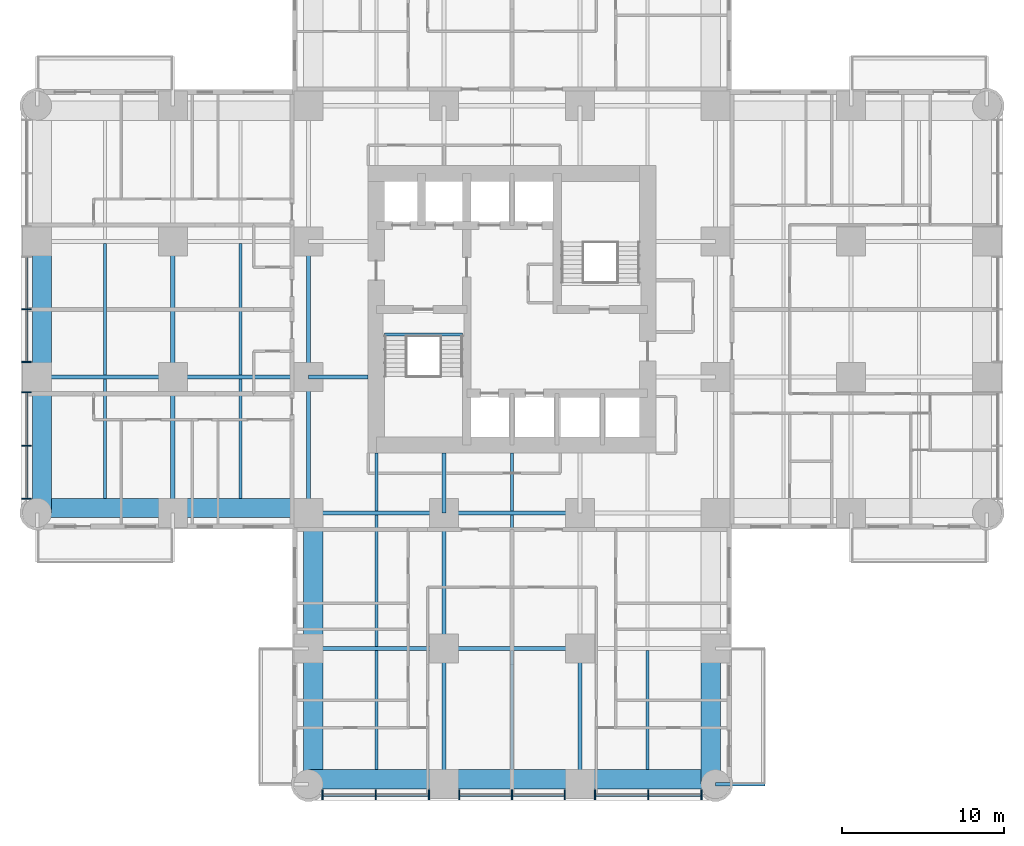
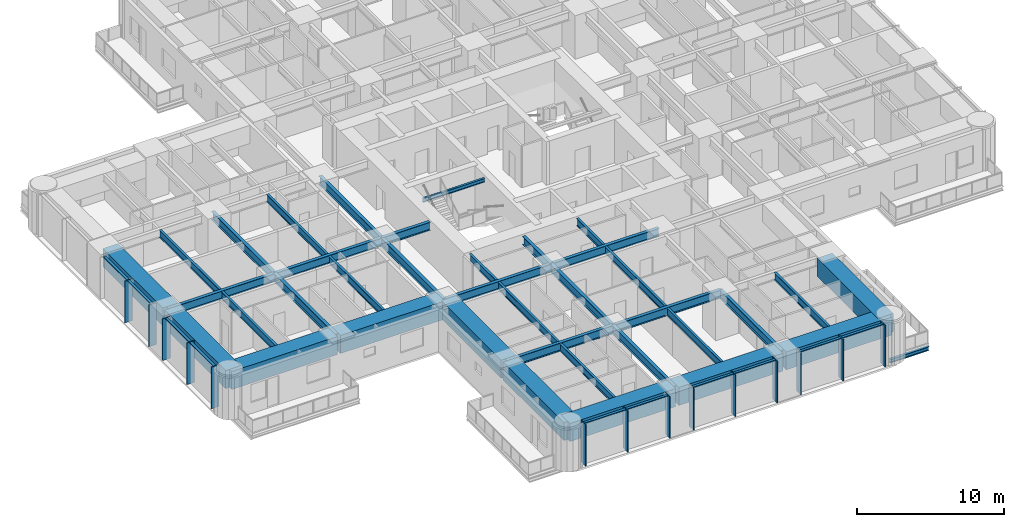
# One storey, part 2 of 17: 38 beams, 24 members, 2 elements without a shape of their own.
"""IFC4 building model written with IfcOpenShell, lengths in metres."""

from ifc_helpers import new_model, si_unit, direction, frame, origin, origin_2d, place, context, subcontext, project, spatial, rectangle, i_section, extrude, material, material_profile, profile_set, type_object, element, aggregate, save


model = new_model("IFC4")

# Units and contexts
model_context = context("Model", 3, precision=1e-05, world=origin(), true_north=direction((0.0, 1.0)))
body_context = subcontext(model_context, "Body", "Model", "MODEL_VIEW")
ifc_project = project(units=[si_unit("LENGTHUNIT", "METRE"), si_unit("AREAUNIT", "SQUARE_METRE"), si_unit("VOLUMEUNIT", "CUBIC_METRE"), si_unit("PLANEANGLEUNIT", "RADIAN"), si_unit("MASSUNIT", "GRAM", prefix="KILO")], contexts=[model_context])

# Site, building, storey
site_placement = place(None, origin())
site = spatial("IfcSite", under=ifc_project, at=site_placement, CompositionType="ELEMENT")
building_placement = place(site_placement, origin())
building = spatial("IfcBuilding", under=site, at=building_placement, Name="Torre Alcanfor", CompositionType="ELEMENT")
storey_placement = place(building_placement, frame((0.0, 0.0, 81.300048828125)))
storey = spatial("IfcBuildingStorey", under=building, at=storey_placement, Name="L20", CompositionType="ELEMENT", Elevation=81.300048828125)

# Beam
ifc_material_1 = material(Name="Steel ASTM A992 Grade 50", Category="steel")
ifc_material_profile_1 = material_profile(ifc_material_1, i_section(OverallWidth=0.205322265625, OverallDepth=0.309814453125, WebThickness=0.00927734375, FlangeThickness=0.016357421875, at=origin_2d()), Name="W12x50")
ifc_profile_set_1 = profile_set([ifc_material_profile_1], Name="Steel ASTM A992 Grade 50")
beam_type_1 = type_object("IfcBeamType", Name="Balcony cantilever beam W12x50", PredefinedType="BEAM", material=ifc_profile_set_1)
beam_1_placement = place(storey_placement, frame((42.0, 0.0, -0.35498046875), z_axis=(1.0, 0.0, 0.0), x_axis=(0.0, 1.0, 0.0)))
element("IfcBeam", 1, at=beam_1_placement, inside=storey, type_object=beam_type_1, Name="Balcony cantilever beam L20-S1 2", PredefinedType="BEAM", context=body_context, shape_type="SweptSolid", body=[
    extrude(i_section(OverallWidth=0.205322265625, OverallDepth=0.309814453125, WebThickness=0.00927734375, FlangeThickness=0.016357421875, at=origin_2d()), origin(), (0.0, 0.0, 1.0), 3.050048828125),
])

# Curtain wall, members
ifc_material_2 = material(Name="Aluminium and glass", Category="aluminium")
curtain_wall_type = type_object("IfcCurtainWallType", Name="CW-A unitised apartment glazing with vertical FIN", PredefinedType="NOTDEFINED", material=ifc_material_2)
curtain_wall_1_placement = place(storey_placement, origin())
curtain_wall_1 = element("IfcCurtainWall", 2, at=curtain_wall_1_placement, inside=storey, type_object=curtain_wall_type, Name="Curtain wall CW-A L20 2", PredefinedType="NOTDEFINED")
ifc_material_3 = material(Name="Bronze anodised aluminium", Category="aluminium")
ifc_material_profile_2 = material_profile(ifc_material_3, rectangle(XDim=0.60009765625, YDim=0.06494140625, at=origin_2d()), Name="CW-A mullion 65x600")
ifc_profile_set_2 = profile_set([ifc_material_profile_2], Name="Bronze anodised aluminium")
member_type_1 = type_object("IfcMemberType", Name="CW-A mullion with vertical FIN 65x600", PredefinedType="MULLION", material=ifc_profile_set_2)
member_1_placement = place(storey_placement, frame((-0.64990234375, 29.39990234375, 0.0), z_axis=(0.0, 0.0, 1.0), x_axis=(1.0, 0.0, 0.0)))
member_1 = element("IfcMember", 3, at=member_1_placement, type_object=member_type_1, Name="CW-A mullion 2.2", PredefinedType="MULLION", context=body_context, shape_type="SweptSolid", body=[
    extrude(rectangle(XDim=0.60009765625, YDim=0.06494140625, at=origin_2d()), origin(), (0.0, 0.0, 1.0), 3.449951171875),
])
member_2_placement = place(storey_placement, frame((-0.64990234375, 26.137451171875, 0.0), z_axis=(0.0, 0.0, 1.0), x_axis=(1.0, 0.0, 0.0)))
member_2 = element("IfcMember", 4, at=member_2_placement, type_object=member_type_1, Name="CW-A mullion 2.3", PredefinedType="MULLION", context=body_context, shape_type="SweptSolid", body=[
    extrude(rectangle(XDim=0.60009765625, YDim=0.06494140625, at=origin_2d()), origin(), (0.0, 0.0, 1.0), 3.449951171875),
])
member_3_placement = place(storey_placement, frame((-0.64990234375, 24.262451171875, 0.0), z_axis=(0.0, 0.0, 1.0), x_axis=(1.0, 0.0, 0.0)))
member_3 = element("IfcMember", 5, at=member_3_placement, type_object=member_type_1, Name="CW-A mullion 3.1", PredefinedType="MULLION", context=body_context, shape_type="SweptSolid", body=[
    extrude(rectangle(XDim=0.60009765625, YDim=0.06494140625, at=origin_2d()), origin(), (0.0, 0.0, 1.0), 3.449951171875),
])
member_4_placement = place(storey_placement, frame((-0.64990234375, 20.96484375, 0.0), z_axis=(0.0, 0.0, 1.0), x_axis=(1.0, 0.0, 0.0)))
member_4 = element("IfcMember", 6, at=member_4_placement, type_object=member_type_1, Name="CW-A mullion 3.2", PredefinedType="MULLION", context=body_context, shape_type="SweptSolid", body=[
    extrude(rectangle(XDim=0.60009765625, YDim=0.06494140625, at=origin_2d()), origin(), (0.0, 0.0, 1.0), 3.449951171875),
])
member_5_placement = place(storey_placement, frame((-0.64990234375, 17.6669921875, 0.0), z_axis=(0.0, 0.0, 1.0), x_axis=(1.0, 0.0, 0.0)))
member_5 = element("IfcMember", 7, at=member_5_placement, type_object=member_type_1, Name="CW-A mullion 3.3", PredefinedType="MULLION", context=body_context, shape_type="SweptSolid", body=[
    extrude(rectangle(XDim=0.60009765625, YDim=0.06494140625, at=origin_2d()), origin(), (0.0, 0.0, 1.0), 3.449951171875),
])

curtain_wall_2_placement = place(storey_placement, origin())
curtain_wall_2 = element("IfcCurtainWall", 8, at=curtain_wall_2_placement, inside=storey, type_object=curtain_wall_type, Name="Curtain wall CW-A L20 5", PredefinedType="NOTDEFINED")
member_6_placement = place(storey_placement, frame((17.6669921875, -0.64990234375, 0.0), z_axis=(0.0, 0.0, 1.0), x_axis=(0.0, 1.0, 0.0)))
member_6 = element("IfcMember", 9, at=member_6_placement, type_object=member_type_1, Name="CW-A mullion 1.1", PredefinedType="MULLION", context=body_context, shape_type="SweptSolid", body=[
    extrude(rectangle(XDim=0.60009765625, YDim=0.06494140625, at=origin_2d()), origin(), (0.0, 0.0, 1.0), 3.449951171875),
])
member_7_placement = place(storey_placement, frame((20.96484375, -0.64990234375, 0.0), z_axis=(0.0, 0.0, 1.0), x_axis=(0.0, 1.0, 0.0)))
member_7 = element("IfcMember", 10, at=member_7_placement, type_object=member_type_1, Name="CW-A mullion 1.2", PredefinedType="MULLION", context=body_context, shape_type="SweptSolid", body=[
    extrude(rectangle(XDim=0.60009765625, YDim=0.06494140625, at=origin_2d()), origin(), (0.0, 0.0, 1.0), 3.449951171875),
])
member_8_placement = place(storey_placement, frame((24.262451171875, -0.64990234375, 0.0), z_axis=(0.0, 0.0, 1.0), x_axis=(0.0, 1.0, 0.0)))
member_8 = element("IfcMember", 11, at=member_8_placement, type_object=member_type_1, Name="CW-A mullion 1.3", PredefinedType="MULLION", context=body_context, shape_type="SweptSolid", body=[
    extrude(rectangle(XDim=0.60009765625, YDim=0.06494140625, at=origin_2d()), origin(), (0.0, 0.0, 1.0), 3.449951171875),
])
member_9_placement = place(storey_placement, frame((26.137451171875, -0.64990234375, 0.0), z_axis=(0.0, 0.0, 1.0), x_axis=(0.0, 1.0, 0.0)))
member_9 = element("IfcMember", 12, at=member_9_placement, type_object=member_type_1, Name="CW-A mullion 2.1", PredefinedType="MULLION", context=body_context, shape_type="SweptSolid", body=[
    extrude(rectangle(XDim=0.60009765625, YDim=0.06494140625, at=origin_2d()), origin(), (0.0, 0.0, 1.0), 3.449951171875),
])
member_10_placement = place(storey_placement, frame((29.39990234375, -0.64990234375, 0.0), z_axis=(0.0, 0.0, 1.0), x_axis=(0.0, 1.0, 0.0)))
member_10 = element("IfcMember", 13, at=member_10_placement, type_object=member_type_1, Name="CW-A mullion 2.2", PredefinedType="MULLION", context=body_context, shape_type="SweptSolid", body=[
    extrude(rectangle(XDim=0.60009765625, YDim=0.06494140625, at=origin_2d()), origin(), (0.0, 0.0, 1.0), 3.449951171875),
])
member_11_placement = place(storey_placement, frame((32.66259765625, -0.64990234375, 0.0), z_axis=(0.0, 0.0, 1.0), x_axis=(0.0, 1.0, 0.0)))
member_11 = element("IfcMember", 14, at=member_11_placement, type_object=member_type_1, Name="CW-A mullion 2.3", PredefinedType="MULLION", context=body_context, shape_type="SweptSolid", body=[
    extrude(rectangle(XDim=0.60009765625, YDim=0.06494140625, at=origin_2d()), origin(), (0.0, 0.0, 1.0), 3.449951171875),
])
member_12_placement = place(storey_placement, frame((34.53759765625, -0.64990234375, 0.0), z_axis=(0.0, 0.0, 1.0), x_axis=(0.0, 1.0, 0.0)))
member_12 = element("IfcMember", 15, at=member_12_placement, type_object=member_type_1, Name="CW-A mullion 3.1", PredefinedType="MULLION", context=body_context, shape_type="SweptSolid", body=[
    extrude(rectangle(XDim=0.60009765625, YDim=0.06494140625, at=origin_2d()), origin(), (0.0, 0.0, 1.0), 3.449951171875),
])
member_13_placement = place(storey_placement, frame((37.835205078125, -0.64990234375, 0.0), z_axis=(0.0, 0.0, 1.0), x_axis=(0.0, 1.0, 0.0)))
member_13 = element("IfcMember", 16, at=member_13_placement, type_object=member_type_1, Name="CW-A mullion 3.2", PredefinedType="MULLION", context=body_context, shape_type="SweptSolid", body=[
    extrude(rectangle(XDim=0.60009765625, YDim=0.06494140625, at=origin_2d()), origin(), (0.0, 0.0, 1.0), 3.449951171875),
])
member_14_placement = place(storey_placement, frame((41.133056640625, -0.64990234375, 0.0), z_axis=(0.0, 0.0, 1.0), x_axis=(0.0, 1.0, 0.0)))
member_14 = element("IfcMember", 17, at=member_14_placement, type_object=member_type_1, Name="CW-A mullion 3.3", PredefinedType="MULLION", context=body_context, shape_type="SweptSolid", body=[
    extrude(rectangle(XDim=0.60009765625, YDim=0.06494140625, at=origin_2d()), origin(), (0.0, 0.0, 1.0), 3.449951171875),
])

# Member
ifc_material_4 = material(Name="Extruded aluminium", Category="aluminium")
ifc_material_profile_3 = material_profile(ifc_material_4, rectangle(XDim=0.199951171875, YDim=0.06494140625, at=origin_2d()), Name="CW-A transom 200x65")
ifc_profile_set_3 = profile_set([ifc_material_profile_3], Name="Extruded aluminium")
member_type_2 = type_object("IfcMemberType", Name="CW-A transom 65x200", PredefinedType="USERDEFINED", material=ifc_profile_set_3)
member_15_placement = place(storey_placement, frame((-0.64990234375, 32.6298828125, 3.41748046875), z_axis=(0.0, -1.0, 0.0), x_axis=(1.0, 0.0, 0.0)))
member_15 = element("IfcMember", 18, at=member_15_placement, type_object=member_type_2, Name="CW-A transom 2.1.2", ObjectType="TRANSOM", PredefinedType="USERDEFINED", context=body_context, shape_type="SweptSolid", body=[
    extrude(rectangle(XDim=0.199951171875, YDim=0.06494140625, at=origin_2d()), origin(), (0.0, 0.0, 1.0), 3.197265625),
])

member_16_placement = place(storey_placement, frame((-0.64990234375, 29.367431640625, 3.41748046875), z_axis=(0.0, -1.0, 0.0), x_axis=(1.0, 0.0, 0.0)))
member_16 = element("IfcMember", 19, at=member_16_placement, type_object=member_type_2, Name="CW-A transom 2.2.2", ObjectType="TRANSOM", PredefinedType="USERDEFINED", context=body_context, shape_type="SweptSolid", body=[
    extrude(rectangle(XDim=0.199951171875, YDim=0.06494140625, at=origin_2d()), origin(), (0.0, 0.0, 1.0), 3.197509765625),
])

member_17_placement = place(storey_placement, frame((-0.64990234375, 24.22998046875, 3.41748046875), z_axis=(0.0, -1.0, 0.0), x_axis=(1.0, 0.0, 0.0)))
member_17 = element("IfcMember", 20, at=member_17_placement, type_object=member_type_2, Name="CW-A transom 3.1.2", ObjectType="TRANSOM", PredefinedType="USERDEFINED", context=body_context, shape_type="SweptSolid", body=[
    extrude(rectangle(XDim=0.199951171875, YDim=0.06494140625, at=origin_2d()), origin(), (0.0, 0.0, 1.0), 3.232666015625),
])

member_18_placement = place(storey_placement, frame((-0.64990234375, 20.93212890625, 3.41748046875), z_axis=(0.0, -1.0, 0.0), x_axis=(1.0, 0.0, 0.0)))
member_18 = element("IfcMember", 21, at=member_18_placement, type_object=member_type_2, Name="CW-A transom 3.2.2", ObjectType="TRANSOM", PredefinedType="USERDEFINED", context=body_context, shape_type="SweptSolid", body=[
    extrude(rectangle(XDim=0.199951171875, YDim=0.06494140625, at=origin_2d()), origin(), (0.0, 0.0, 1.0), 3.232666015625),
])

aggregate(curtain_wall_1, [member_1, member_2, member_15, member_16, member_3, member_4, member_5, member_17, member_18])

member_19_placement = place(storey_placement, frame((17.699462890625, -0.64990234375, 3.41748046875), z_axis=(1.0, 0.0, 0.0), x_axis=(0.0, 1.0, 0.0)))
member_19 = element("IfcMember", 22, at=member_19_placement, type_object=member_type_2, Name="CW-A transom 1.1.2", ObjectType="TRANSOM", PredefinedType="USERDEFINED", context=body_context, shape_type="SweptSolid", body=[
    extrude(rectangle(XDim=0.199951171875, YDim=0.06494140625, at=origin_2d()), origin(), (0.0, 0.0, 1.0), 3.232666015625),
])

member_20_placement = place(storey_placement, frame((20.997314453125, -0.64990234375, 3.41748046875), z_axis=(1.0, 0.0, 0.0), x_axis=(0.0, 1.0, 0.0)))
member_20 = element("IfcMember", 23, at=member_20_placement, type_object=member_type_2, Name="CW-A transom 1.2.2", ObjectType="TRANSOM", PredefinedType="USERDEFINED", context=body_context, shape_type="SweptSolid", body=[
    extrude(rectangle(XDim=0.199951171875, YDim=0.06494140625, at=origin_2d()), origin(), (0.0, 0.0, 1.0), 3.232666015625),
])

member_21_placement = place(storey_placement, frame((26.169921875, -0.64990234375, 3.41748046875), z_axis=(1.0, 0.0, 0.0), x_axis=(0.0, 1.0, 0.0)))
member_21 = element("IfcMember", 24, at=member_21_placement, type_object=member_type_2, Name="CW-A transom 2.1.2", ObjectType="TRANSOM", PredefinedType="USERDEFINED", context=body_context, shape_type="SweptSolid", body=[
    extrude(rectangle(XDim=0.199951171875, YDim=0.06494140625, at=origin_2d()), origin(), (0.0, 0.0, 1.0), 3.197509765625),
])

member_22_placement = place(storey_placement, frame((29.4326171875, -0.64990234375, 3.41748046875), z_axis=(1.0, 0.0, 0.0), x_axis=(0.0, 1.0, 0.0)))
member_22 = element("IfcMember", 25, at=member_22_placement, type_object=member_type_2, Name="CW-A transom 2.2.2", ObjectType="TRANSOM", PredefinedType="USERDEFINED", context=body_context, shape_type="SweptSolid", body=[
    extrude(rectangle(XDim=0.199951171875, YDim=0.06494140625, at=origin_2d()), origin(), (0.0, 0.0, 1.0), 3.197265625),
])

member_23_placement = place(storey_placement, frame((34.570068359375, -0.64990234375, 3.41748046875), z_axis=(1.0, 0.0, 0.0), x_axis=(0.0, 1.0, 0.0)))
member_23 = element("IfcMember", 26, at=member_23_placement, type_object=member_type_2, Name="CW-A transom 3.1.2", ObjectType="TRANSOM", PredefinedType="USERDEFINED", context=body_context, shape_type="SweptSolid", body=[
    extrude(rectangle(XDim=0.199951171875, YDim=0.06494140625, at=origin_2d()), origin(), (0.0, 0.0, 1.0), 3.232666015625),
])

member_24_placement = place(storey_placement, frame((37.86767578125, -0.64990234375, 3.41748046875), z_axis=(1.0, 0.0, 0.0), x_axis=(0.0, 1.0, 0.0)))
member_24 = element("IfcMember", 27, at=member_24_placement, type_object=member_type_2, Name="CW-A transom 3.2.2", ObjectType="TRANSOM", PredefinedType="USERDEFINED", context=body_context, shape_type="SweptSolid", body=[
    extrude(rectangle(XDim=0.199951171875, YDim=0.06494140625, at=origin_2d()), origin(), (0.0, 0.0, 1.0), 3.23291015625),
])

aggregate(curtain_wall_2, [member_6, member_7, member_8, member_19, member_20, member_9, member_10, member_11, member_21, member_22, member_12, member_13, member_14, member_23, member_24])

# Beams
ifc_material_5 = material(Name="Steel ASTM A992 Grade 50", Category="steel")
ifc_material_profile_4 = material_profile(ifc_material_5, i_section(OverallWidth=0.25390625, OverallDepth=0.683349609375, WebThickness=0.012451171875, FlangeThickness=0.01904296875, at=origin_2d()), Name="W27x94")
ifc_profile_set_4 = profile_set([ifc_material_profile_4], Name="Steel ASTM A992 Grade 50")
beam_type_2 = type_object("IfcBeamType", Name="Girder W27x94", PredefinedType="BEAM", material=ifc_profile_set_4)
beam_2_placement = place(storey_placement, frame((16.800048828125, 8.39990234375, 3.1083984375), z_axis=(1.0, 0.0, 0.0), x_axis=(0.0, 1.0, 0.0)))
element("IfcBeam", 28, at=beam_2_placement, inside=storey, type_object=beam_type_2, Name="Beam 3D-4D under L21", PredefinedType="BEAM", context=body_context, shape_type="SweptSolid", body=[
    extrude(i_section(OverallWidth=0.25390625, OverallDepth=0.683349609375, WebThickness=0.012451171875, FlangeThickness=0.01904296875, at=origin_2d()), origin(), (0.0, 0.0, 1.0), 8.39990234375),
])
beam_3_placement = place(storey_placement, frame((25.199951171875, 8.39990234375, 3.1083984375), z_axis=(1.0, 0.0, 0.0), x_axis=(0.0, 1.0, 0.0)))
element("IfcBeam", 29, at=beam_3_placement, inside=storey, type_object=beam_type_2, Name="Beam 4D-5D under L21", PredefinedType="BEAM", context=body_context, shape_type="SweptSolid", body=[
    extrude(i_section(OverallWidth=0.25390625, OverallDepth=0.683349609375, WebThickness=0.012451171875, FlangeThickness=0.01904296875, at=origin_2d()), origin(), (0.0, 0.0, 1.0), 8.400146484375),
])
beam_4_placement = place(storey_placement, frame((16.800048828125, 16.800048828125, 3.1083984375), z_axis=(1.0, 0.0, 0.0), x_axis=(0.0, 1.0, 0.0)))
element("IfcBeam", 30, at=beam_4_placement, inside=storey, type_object=beam_type_2, Name="Beam 3E-4E under L21", PredefinedType="BEAM", context=body_context, shape_type="SweptSolid", body=[
    extrude(i_section(OverallWidth=0.25390625, OverallDepth=0.683349609375, WebThickness=0.012451171875, FlangeThickness=0.01904296875, at=origin_2d()), origin(), (0.0, 0.0, 1.0), 8.39990234375),
])
beam_5_placement = place(storey_placement, frame((25.199951171875, 16.800048828125, 3.1083984375), z_axis=(1.0, 0.0, 0.0), x_axis=(0.0, 1.0, 0.0)))
element("IfcBeam", 31, at=beam_5_placement, inside=storey, type_object=beam_type_2, Name="Beam 4E-5E under L21", PredefinedType="BEAM", context=body_context, shape_type="SweptSolid", body=[
    extrude(i_section(OverallWidth=0.25390625, OverallDepth=0.683349609375, WebThickness=0.012451171875, FlangeThickness=0.01904296875, at=origin_2d()), origin(), (0.0, 0.0, 1.0), 8.400146484375),
])
beam_6_placement = place(storey_placement, frame((0.0, 25.199951171875, 3.1083984375), z_axis=(1.0, 0.0, 0.0), x_axis=(0.0, 1.0, 0.0)))
element("IfcBeam", 32, at=beam_6_placement, inside=storey, type_object=beam_type_2, Name="Beam 1F-2F under L21", PredefinedType="BEAM", context=body_context, shape_type="SweptSolid", body=[
    extrude(i_section(OverallWidth=0.25390625, OverallDepth=0.683349609375, WebThickness=0.012451171875, FlangeThickness=0.01904296875, at=origin_2d()), origin(), (0.0, 0.0, 1.0), 8.39990234375),
])
beam_7_placement = place(storey_placement, frame((8.39990234375, 25.199951171875, 3.1083984375), z_axis=(1.0, 0.0, 0.0), x_axis=(0.0, 1.0, 0.0)))
element("IfcBeam", 33, at=beam_7_placement, inside=storey, type_object=beam_type_2, Name="Beam 2F-3F under L21", PredefinedType="BEAM", context=body_context, shape_type="SweptSolid", body=[
    extrude(i_section(OverallWidth=0.25390625, OverallDepth=0.683349609375, WebThickness=0.012451171875, FlangeThickness=0.01904296875, at=origin_2d()), origin(), (0.0, 0.0, 1.0), 8.400146484375),
])
beam_8_placement = place(storey_placement, frame((8.39990234375, 16.800048828125, 3.1083984375), z_axis=(0.0, 1.0, 0.0), x_axis=(-1.0, 0.0, 0.0)))
element("IfcBeam", 34, at=beam_8_placement, inside=storey, type_object=beam_type_2, Name="Beam 2E-2F under L21", PredefinedType="BEAM", context=body_context, shape_type="SweptSolid", body=[
    extrude(i_section(OverallWidth=0.25390625, OverallDepth=0.683349609375, WebThickness=0.012451171875, FlangeThickness=0.01904296875, at=origin_2d()), origin(), (0.0, 0.0, 1.0), 8.39990234375),
])
beam_9_placement = place(storey_placement, frame((8.39990234375, 25.199951171875, 3.1083984375), z_axis=(0.0, 1.0, 0.0), x_axis=(-1.0, 0.0, 0.0)))
element("IfcBeam", 35, at=beam_9_placement, inside=storey, type_object=beam_type_2, Name="Beam 2F-2G under L21", PredefinedType="BEAM", context=body_context, shape_type="SweptSolid", body=[
    extrude(i_section(OverallWidth=0.25390625, OverallDepth=0.683349609375, WebThickness=0.012451171875, FlangeThickness=0.01904296875, at=origin_2d()), origin(), (0.0, 0.0, 1.0), 8.400146484375),
])
beam_10_placement = place(storey_placement, frame((16.800048828125, 16.800048828125, 3.1083984375), z_axis=(0.0, 1.0, 0.0), x_axis=(-1.0, 0.0, 0.0)))
element("IfcBeam", 36, at=beam_10_placement, inside=storey, type_object=beam_type_2, Name="Beam 3E-3F under L21", PredefinedType="BEAM", context=body_context, shape_type="SweptSolid", body=[
    extrude(i_section(OverallWidth=0.25390625, OverallDepth=0.683349609375, WebThickness=0.012451171875, FlangeThickness=0.01904296875, at=origin_2d()), origin(), (0.0, 0.0, 1.0), 8.39990234375),
])
beam_11_placement = place(storey_placement, frame((16.800048828125, 25.199951171875, 3.1083984375), z_axis=(0.0, 1.0, 0.0), x_axis=(-1.0, 0.0, 0.0)))
element("IfcBeam", 37, at=beam_11_placement, inside=storey, type_object=beam_type_2, Name="Beam 3F-3G under L21", PredefinedType="BEAM", context=body_context, shape_type="SweptSolid", body=[
    extrude(i_section(OverallWidth=0.25390625, OverallDepth=0.683349609375, WebThickness=0.012451171875, FlangeThickness=0.01904296875, at=origin_2d()), origin(), (0.0, 0.0, 1.0), 8.400146484375),
])
beam_12_placement = place(storey_placement, frame((25.199951171875, 0.0, 3.1083984375), z_axis=(0.0, 1.0, 0.0), x_axis=(-1.0, 0.0, 0.0)))
element("IfcBeam", 38, at=beam_12_placement, inside=storey, type_object=beam_type_2, Name="Beam 4C-4D under L21", PredefinedType="BEAM", context=body_context, shape_type="SweptSolid", body=[
    extrude(i_section(OverallWidth=0.25390625, OverallDepth=0.683349609375, WebThickness=0.012451171875, FlangeThickness=0.01904296875, at=origin_2d()), origin(), (0.0, 0.0, 1.0), 8.39990234375),
])
beam_13_placement = place(storey_placement, frame((25.199951171875, 8.39990234375, 3.1083984375), z_axis=(0.0, 1.0, 0.0), x_axis=(-1.0, 0.0, 0.0)))
element("IfcBeam", 39, at=beam_13_placement, inside=storey, type_object=beam_type_2, Name="Beam 4D-4E under L21", PredefinedType="BEAM", context=body_context, shape_type="SweptSolid", body=[
    extrude(i_section(OverallWidth=0.25390625, OverallDepth=0.683349609375, WebThickness=0.012451171875, FlangeThickness=0.01904296875, at=origin_2d()), origin(), (0.0, 0.0, 1.0), 8.400146484375),
])
beam_14_placement = place(storey_placement, frame((33.60009765625, 0.0, 3.1083984375), z_axis=(0.0, 1.0, 0.0), x_axis=(-1.0, 0.0, 0.0)))
element("IfcBeam", 40, at=beam_14_placement, inside=storey, type_object=beam_type_2, Name="Beam 5C-5D under L21", PredefinedType="BEAM", context=body_context, shape_type="SweptSolid", body=[
    extrude(i_section(OverallWidth=0.25390625, OverallDepth=0.683349609375, WebThickness=0.012451171875, FlangeThickness=0.01904296875, at=origin_2d()), origin(), (0.0, 0.0, 1.0), 8.39990234375),
])
ifc_material_6 = material(Name="Steel ASTM A992 Grade 50", Category="steel")
ifc_material_profile_5 = material_profile(ifc_material_6, i_section(OverallWidth=0.25390625, OverallDepth=0.683349609375, WebThickness=0.012451171875, FlangeThickness=0.01904296875, at=origin_2d()), Name="W27x94")
ifc_profile_set_5 = profile_set([ifc_material_profile_5], Name="Steel ASTM A992 Grade 50")
beam_type_3 = type_object("IfcBeamType", Name="Girder, part bay W27x94", PredefinedType="BEAM", material=ifc_profile_set_5)
for number, where, z_axis, x_axis, name in (
    (41, (25.199951171875, 16.800048828125, 3.1083984375), (0.0, 1.0, 0.0), (-1.0, 0.0, 0.0), "Beam 4E-420_5 under L21"),
    (42, (16.800048828125, 25.199951171875, 3.1083984375), (1.0, 0.0, 0.0), (0.0, 1.0, 0.0), "Beam 3F-20_5F under L21"),
):
    element("IfcBeam", number, at=place(storey_placement, frame(where, z_axis=z_axis, x_axis=x_axis)), inside=storey, type_object=beam_type_3, Name=name, PredefinedType="BEAM", context=body_context, shape_type="SweptSolid", body=[
        extrude(i_section(OverallWidth=0.25390625, OverallDepth=0.683349609375, WebThickness=0.012451171875, FlangeThickness=0.01904296875, at=origin_2d()), origin(), (0.0, 0.0, 1.0), 3.699951171875),
    ])
ifc_material_7 = material(Name="Concrete f'c 70 MPa", Category="concrete")
ifc_material_profile_6 = material_profile(ifc_material_7, rectangle(XDim=1.199951171875, YDim=1.5, at=origin_2d()), Name="1200x1500")
ifc_profile_set_6 = profile_set([ifc_material_profile_6], Name="Concrete f'c 70 MPa")
beam_type_4 = type_object("IfcBeamType", Name="RC perimeter beam 1200x1500", PredefinedType="BEAM", material=ifc_profile_set_6)
beam_15_placement = place(storey_placement, frame((16.800048828125, 0.300048828125, 2.699951171875), z_axis=(1.0, 0.0, 0.0), x_axis=(0.0, 1.0, 0.0)))
element("IfcBeam", 43, at=beam_15_placement, inside=storey, type_object=beam_type_4, Name="Beam 3C-4C under L21", PredefinedType="BEAM", context=body_context, shape_type="SweptSolid", body=[
    extrude(rectangle(XDim=1.199951171875, YDim=1.5, at=origin_2d()), origin(), (0.0, 0.0, 1.0), 8.27294921875),
])
beam_16_placement = place(storey_placement, frame((25.326904296875, 0.300048828125, 2.699951171875), z_axis=(1.0, 0.0, 0.0), x_axis=(0.0, 1.0, 0.0)))
element("IfcBeam", 44, at=beam_16_placement, inside=storey, type_object=beam_type_4, Name="Beam 4C-5C under L21", PredefinedType="BEAM", context=body_context, shape_type="SweptSolid", body=[
    extrude(rectangle(XDim=1.199951171875, YDim=1.5, at=origin_2d()), origin(), (0.0, 0.0, 1.0), 8.14599609375),
])
for number, where, z_axis, x_axis, name in (
    (45, (33.72705078125, 0.300048828125, 2.699951171875), (1.0, 0.0, 0.0), (0.0, 1.0, 0.0), "Beam 5C-6C under L21"),
    (46, (0.0, 17.10009765625, 2.699951171875), (1.0, 0.0, 0.0), (0.0, 1.0, 0.0), "Beam 1E-2E under L21"),
):
    element("IfcBeam", number, at=place(storey_placement, frame(where, z_axis=z_axis, x_axis=x_axis)), inside=storey, type_object=beam_type_4, Name=name, PredefinedType="BEAM", context=body_context, shape_type="SweptSolid", body=[
        extrude(rectangle(XDim=1.199951171875, YDim=1.5, at=origin_2d()), origin(), (0.0, 0.0, 1.0), 8.27294921875),
    ])
beam_17_placement = place(storey_placement, frame((8.527099609375, 17.10009765625, 2.699951171875), z_axis=(1.0, 0.0, 0.0), x_axis=(0.0, 1.0, 0.0)))
element("IfcBeam", 47, at=beam_17_placement, inside=storey, type_object=beam_type_4, Name="Beam 2E-3E under L21", PredefinedType="BEAM", context=body_context, shape_type="SweptSolid", body=[
    extrude(rectangle(XDim=1.199951171875, YDim=1.5, at=origin_2d()), origin(), (0.0, 0.0, 1.0), 8.14599609375),
])
beam_18_placement = place(storey_placement, frame((0.300048828125, 16.800048828125, 2.699951171875), z_axis=(0.0, 1.0, 0.0), x_axis=(-1.0, 0.0, 0.0)))
element("IfcBeam", 48, at=beam_18_placement, inside=storey, type_object=beam_type_4, Name="Beam 1E-1F under L21", PredefinedType="BEAM", context=body_context, shape_type="SweptSolid", body=[
    extrude(rectangle(XDim=1.199951171875, YDim=1.5, at=origin_2d()), origin(), (0.0, 0.0, 1.0), 8.27294921875),
])
beam_19_placement = place(storey_placement, frame((0.300048828125, 25.326904296875, 2.699951171875), z_axis=(0.0, 1.0, 0.0), x_axis=(-1.0, 0.0, 0.0)))
element("IfcBeam", 49, at=beam_19_placement, inside=storey, type_object=beam_type_4, Name="Beam 1F-1G under L21", PredefinedType="BEAM", context=body_context, shape_type="SweptSolid", body=[
    extrude(rectangle(XDim=1.199951171875, YDim=1.5, at=origin_2d()), origin(), (0.0, 0.0, 1.0), 8.14599609375),
])
beam_20_placement = place(storey_placement, frame((17.10009765625, 0.0, 2.699951171875), z_axis=(0.0, 1.0, 0.0), x_axis=(-1.0, 0.0, 0.0)))
element("IfcBeam", 50, at=beam_20_placement, inside=storey, type_object=beam_type_4, Name="Beam 3C-3D under L21", PredefinedType="BEAM", context=body_context, shape_type="SweptSolid", body=[
    extrude(rectangle(XDim=1.199951171875, YDim=1.5, at=origin_2d()), origin(), (0.0, 0.0, 1.0), 8.27294921875),
])
beam_21_placement = place(storey_placement, frame((17.10009765625, 8.527099609375, 2.699951171875), z_axis=(0.0, 1.0, 0.0), x_axis=(-1.0, 0.0, 0.0)))
element("IfcBeam", 51, at=beam_21_placement, inside=storey, type_object=beam_type_4, Name="Beam 3D-3E under L21", PredefinedType="BEAM", context=body_context, shape_type="SweptSolid", body=[
    extrude(rectangle(XDim=1.199951171875, YDim=1.5, at=origin_2d()), origin(), (0.0, 0.0, 1.0), 8.14599609375),
])
beam_22_placement = place(storey_placement, frame((41.699951171875, 0.0, 2.699951171875), z_axis=(0.0, 1.0, 0.0), x_axis=(-1.0, 0.0, 0.0)))
element("IfcBeam", 52, at=beam_22_placement, inside=storey, type_object=beam_type_4, Name="Beam 6C-6D under L21", PredefinedType="BEAM", context=body_context, shape_type="SweptSolid", body=[
    extrude(rectangle(XDim=1.199951171875, YDim=1.5, at=origin_2d()), origin(), (0.0, 0.0, 1.0), 8.27294921875),
])
ifc_material_8 = material(Name="Steel ASTM A992 Grade 50", Category="steel")
ifc_material_profile_7 = material_profile(ifc_material_8, i_section(OverallWidth=0.1787109375, OverallDepth=0.60205078125, WebThickness=0.010986328125, FlangeThickness=0.014892578125, at=origin_2d()), Name="W24x62")
ifc_profile_set_7 = profile_set([ifc_material_profile_7], Name="Steel ASTM A992 Grade 50")
beam_type_5 = type_object("IfcBeamType", Name="Secondary beam W24x62", PredefinedType="BEAM", material=ifc_profile_set_7)
beam_23_placement = place(storey_placement, frame((4.199951171875, 17.699951171875, 3.14892578125), z_axis=(0.0, 1.0, 0.0), x_axis=(-1.0, 0.0, 0.0)))
element("IfcBeam", 53, at=beam_23_placement, inside=storey, type_object=beam_type_5, Name="Beam 4_2E-4_2F under L21", PredefinedType="BEAM", context=body_context, shape_type="SweptSolid", body=[
    extrude(i_section(OverallWidth=0.1787109375, OverallDepth=0.60205078125, WebThickness=0.010986328125, FlangeThickness=0.014892578125, at=origin_2d()), origin(), (0.0, 0.0, 1.0), 7.373046875),
])
beam_24_placement = place(storey_placement, frame((4.199951171875, 25.326904296875, 3.14892578125), z_axis=(0.0, 1.0, 0.0), x_axis=(-1.0, 0.0, 0.0)))
element("IfcBeam", 54, at=beam_24_placement, inside=storey, type_object=beam_type_5, Name="Beam 4_2F-4_2G under L21", PredefinedType="BEAM", context=body_context, shape_type="SweptSolid", body=[
    extrude(i_section(OverallWidth=0.1787109375, OverallDepth=0.60205078125, WebThickness=0.010986328125, FlangeThickness=0.014892578125, at=origin_2d()), origin(), (0.0, 0.0, 1.0), 8.14599609375),
])
beam_25_placement = place(storey_placement, frame((12.60009765625, 17.699951171875, 3.14892578125), z_axis=(0.0, 1.0, 0.0), x_axis=(-1.0, 0.0, 0.0)))
element("IfcBeam", 55, at=beam_25_placement, inside=storey, type_object=beam_type_5, Name="Beam 12_6E-12_6F under L21", PredefinedType="BEAM", context=body_context, shape_type="SweptSolid", body=[
    extrude(i_section(OverallWidth=0.1787109375, OverallDepth=0.60205078125, WebThickness=0.010986328125, FlangeThickness=0.014892578125, at=origin_2d()), origin(), (0.0, 0.0, 1.0), 7.373046875),
])
beam_26_placement = place(storey_placement, frame((12.60009765625, 25.326904296875, 3.14892578125), z_axis=(0.0, 1.0, 0.0), x_axis=(-1.0, 0.0, 0.0)))
element("IfcBeam", 56, at=beam_26_placement, inside=storey, type_object=beam_type_5, Name="Beam 12_6F-12_6G under L21", PredefinedType="BEAM", context=body_context, shape_type="SweptSolid", body=[
    extrude(i_section(OverallWidth=0.1787109375, OverallDepth=0.60205078125, WebThickness=0.010986328125, FlangeThickness=0.014892578125, at=origin_2d()), origin(), (0.0, 0.0, 1.0), 8.14599609375),
])
beam_27_placement = place(storey_placement, frame((21.0, 0.89990234375, 3.14892578125), z_axis=(0.0, 1.0, 0.0), x_axis=(-1.0, 0.0, 0.0)))
element("IfcBeam", 57, at=beam_27_placement, inside=storey, type_object=beam_type_5, Name="Beam 21C-21D under L21", PredefinedType="BEAM", context=body_context, shape_type="SweptSolid", body=[
    extrude(i_section(OverallWidth=0.1787109375, OverallDepth=0.60205078125, WebThickness=0.010986328125, FlangeThickness=0.014892578125, at=origin_2d()), origin(), (0.0, 0.0, 1.0), 7.373046875),
])
beam_28_placement = place(storey_placement, frame((21.0, 8.527099609375, 3.14892578125), z_axis=(0.0, 1.0, 0.0), x_axis=(-1.0, 0.0, 0.0)))
element("IfcBeam", 58, at=beam_28_placement, inside=storey, type_object=beam_type_5, Name="Beam 21D-21E under L21", PredefinedType="BEAM", context=body_context, shape_type="SweptSolid", body=[
    extrude(i_section(OverallWidth=0.1787109375, OverallDepth=0.60205078125, WebThickness=0.010986328125, FlangeThickness=0.014892578125, at=origin_2d()), origin(), (0.0, 0.0, 1.0), 8.14599609375),
])
beam_29_placement = place(storey_placement, frame((29.39990234375, 0.89990234375, 3.14892578125), z_axis=(0.0, 1.0, 0.0), x_axis=(-1.0, 0.0, 0.0)))
element("IfcBeam", 59, at=beam_29_placement, inside=storey, type_object=beam_type_5, Name="Beam 29_4C-29_4D under L21", PredefinedType="BEAM", context=body_context, shape_type="SweptSolid", body=[
    extrude(i_section(OverallWidth=0.1787109375, OverallDepth=0.60205078125, WebThickness=0.010986328125, FlangeThickness=0.014892578125, at=origin_2d()), origin(), (0.0, 0.0, 1.0), 7.373046875),
])
beam_30_placement = place(storey_placement, frame((29.39990234375, 8.527099609375, 3.14892578125), z_axis=(0.0, 1.0, 0.0), x_axis=(-1.0, 0.0, 0.0)))
element("IfcBeam", 60, at=beam_30_placement, inside=storey, type_object=beam_type_5, Name="Beam 29_4D-29_4E under L21", PredefinedType="BEAM", context=body_context, shape_type="SweptSolid", body=[
    extrude(i_section(OverallWidth=0.1787109375, OverallDepth=0.60205078125, WebThickness=0.010986328125, FlangeThickness=0.014892578125, at=origin_2d()), origin(), (0.0, 0.0, 1.0), 8.14599609375),
])
beam_31_placement = place(storey_placement, frame((37.800048828125, 0.89990234375, 3.14892578125), z_axis=(0.0, 1.0, 0.0), x_axis=(-1.0, 0.0, 0.0)))
element("IfcBeam", 61, at=beam_31_placement, inside=storey, type_object=beam_type_5, Name="Beam 37_8C-37_8D under L21", PredefinedType="BEAM", context=body_context, shape_type="SweptSolid", body=[
    extrude(i_section(OverallWidth=0.1787109375, OverallDepth=0.60205078125, WebThickness=0.010986328125, FlangeThickness=0.014892578125, at=origin_2d()), origin(), (0.0, 0.0, 1.0), 7.373046875),
])
ifc_material_9 = material(Name="Steel ASTM A992 Grade 50", Category="steel")
ifc_material_profile_8 = material_profile(ifc_material_9, i_section(OverallWidth=0.1787109375, OverallDepth=0.60205078125, WebThickness=0.010986328125, FlangeThickness=0.014892578125, at=origin_2d()), Name="W24x62")
ifc_profile_set_8 = profile_set([ifc_material_profile_8], Name="Steel ASTM A992 Grade 50")
beam_type_6 = type_object("IfcBeamType", Name="Secondary beam, part bay W24x62", PredefinedType="BEAM", material=ifc_profile_set_8)
for number, where, z_axis, x_axis, name in (
    (62, (21.0, 16.927001953125, 3.14892578125), (0.0, 1.0, 0.0), (-1.0, 0.0, 0.0), "Beam 21E-2120_5 under L21"),
    (63, (29.39990234375, 16.927001953125, 3.14892578125), (0.0, 1.0, 0.0), (-1.0, 0.0, 0.0), "Beam 29_4E-29_420_5 under L21"),
):
    element("IfcBeam", number, at=place(storey_placement, frame(where, z_axis=z_axis, x_axis=x_axis)), inside=storey, type_object=beam_type_6, Name=name, PredefinedType="BEAM", context=body_context, shape_type="SweptSolid", body=[
        extrude(i_section(OverallWidth=0.1787109375, OverallDepth=0.60205078125, WebThickness=0.010986328125, FlangeThickness=0.014892578125, at=origin_2d()), origin(), (0.0, 0.0, 1.0), 3.572998046875),
    ])
ifc_material_10 = material(Name="Steel ASTM A992 Grade 50", Category="steel")
ifc_material_profile_9 = material_profile(ifc_material_10, i_section(OverallWidth=0.164794921875, OverallDepth=0.309814453125, WebThickness=0.005859375, FlangeThickness=0.009765625, at=origin_2d()), Name="W12x26")
ifc_profile_set_9 = profile_set([ifc_material_profile_9], Name="Steel ASTM A992 Grade 50")
beam_type_7 = type_object("IfcBeamType", Name="Stair landing beam W12x26", PredefinedType="BEAM", material=ifc_profile_set_9)
beam_32_placement = place(storey_placement, frame((21.5, 27.83740234375, 3.2451171875), z_axis=(1.0, 0.0, 0.0), x_axis=(0.0, 1.0, 0.0)))
element("IfcBeam", 64, at=beam_32_placement, inside=storey, type_object=beam_type_7, Name="Landing trimmer S1 L21", PredefinedType="BEAM", context=body_context, shape_type="SweptSolid", body=[
    extrude(i_section(OverallWidth=0.164794921875, OverallDepth=0.309814453125, WebThickness=0.005859375, FlangeThickness=0.009765625, at=origin_2d()), origin(), (0.0, 0.0, 1.0), 4.85009765625),
])

save(model, "model.ifc")
